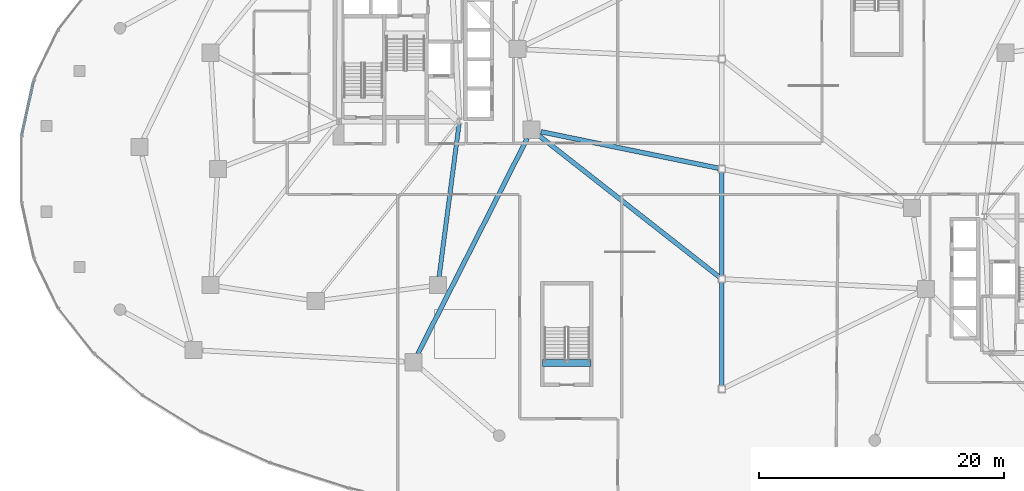
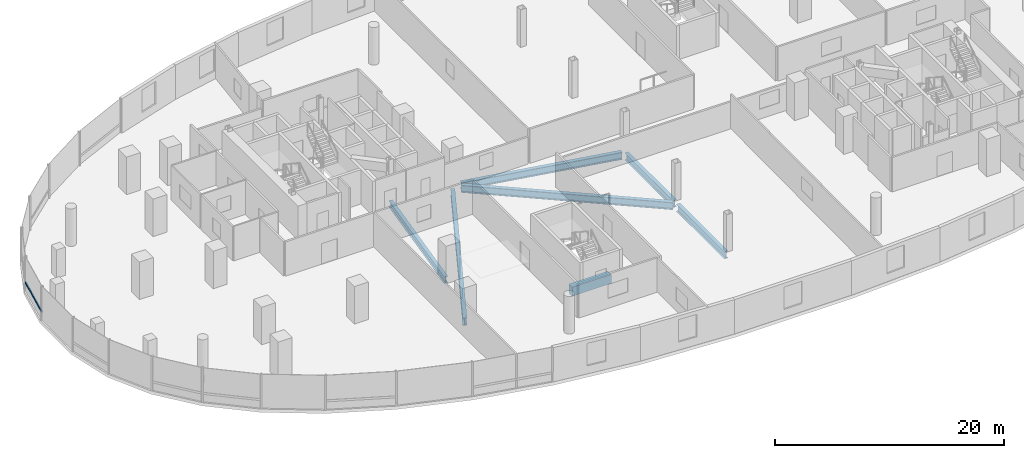
# One storey, part 4 of 18: 7 beams, 1 member, 1 element without a shape of its own.
"""IFC4 building model written with IfcOpenShell, lengths in metres."""

import ifcopenshell
import ifcopenshell.guid

model = None  # the IFC model being written
_history = None  # IfcOwnerHistory: only IFC2X3 demands one
_inside = {}  # id of a spatial element -> (the spatial element, [elements in it])
_under = {}  # id of a project, library or spatial element -> (it, [spatial elements below it])
_declared = {}  # id of a project -> (the project, [libraries it declares])
_typed = {}  # id of a type object -> (the type object, [elements of that type])
_made_of = {}  # id of a material, layer set ... -> (it, [elements and type objects made of it])


def new_model(schema):
    """Start an empty IFC model of exactly this schema.

    Asked for "IFC4X3", IfcOpenShell would pick the latest addendum, in which some entities
    have other attributes; the version numbers below select the first issue.
    IFC2X3 requires an IfcOwnerHistory on every rooted entity: one is made here for all.
    """
    global model, _history
    if schema == "IFC4X3":
        model = ifcopenshell.file(schema_version=(4, 3, 0, 0))
    else:
        model = ifcopenshell.file(schema=schema)
    _inside.clear()
    _under.clear()
    _declared.clear()
    _typed.clear()
    _made_of.clear()
    _history = None
    if model.schema == "IFC2X3":
        org = make("IfcOrganization", Name="unknown")
        user = make(
            "IfcPersonAndOrganization",
            ThePerson=make("IfcPerson", FamilyName="unknown"),
            TheOrganization=org,
        )
        app = make(
            "IfcApplication",
            ApplicationDeveloper=org,
            Version="unknown",
            ApplicationFullName="unknown",
            ApplicationIdentifier="unknown",
        )
        _history = make(
            "IfcOwnerHistory",
            OwningUser=user,
            OwningApplication=app,
            ChangeAction="ADDED",
            CreationDate=0,
        )
    return model


def make(cls, **values):
    """One entity of the class cls with the attributes given. An attribute that is None is left unset."""
    return model.create_entity(
        cls, **{name: value for name, value in values.items() if value is not None}
    )


def rooted(cls, **values):
    """An entity with a GlobalId (a new one), such as an element, a storey or a relation."""
    return make(cls, GlobalId=ifcopenshell.guid.new(), OwnerHistory=_history, **values)


def si_unit(unit_type, name, prefix=None):
    """IfcSIUnit, for example si_unit("LENGTHUNIT", "METRE", prefix="MILLI")."""
    return make("IfcSIUnit", UnitType=unit_type, Prefix=prefix, Name=name)


def assignment(units):
    """IfcUnitAssignment: the units of a project."""
    return None if units is None else make("IfcUnitAssignment", Units=units)


def point(xyz):
    """IfcCartesianPoint."""
    return None if xyz is None else make("IfcCartesianPoint", Coordinates=xyz)


def direction(xyz):
    """IfcDirection."""
    return None if xyz is None else make("IfcDirection", DirectionRatios=xyz)


def frame(location, z_axis=None, x_axis=None):
    """IfcAxis2Placement3D, a coordinate frame: its origin and axes. An axis left out is left unset."""
    return make(
        "IfcAxis2Placement3D",
        Location=point(location),
        Axis=direction(z_axis),
        RefDirection=direction(x_axis),
    )


def frame_2d(location, x_axis=None):
    """IfcAxis2Placement2D, a coordinate frame in the plane: its origin and x axis."""
    return make(
        "IfcAxis2Placement2D", Location=point(location), RefDirection=direction(x_axis)
    )


def origin():
    """The frame at (0, 0, 0) with its axes left unset."""
    return frame((0.0, 0.0, 0.0))


def origin_2d():
    """The frame at (0, 0) in the plane with its x axis left unset."""
    return frame_2d((0.0, 0.0))


def place(relative_to, where):
    """IfcLocalPlacement: puts the frame where relative to a parent placement (None: the world)."""
    return make(
        "IfcLocalPlacement", PlacementRelTo=relative_to, RelativePlacement=where
    )


def context(
    kind, dimensions, precision=None, world=None, true_north=None, identifier=None
):
    """IfcGeometricRepresentationContext, for example the 3D "Model" context."""
    return make(
        "IfcGeometricRepresentationContext",
        ContextIdentifier=identifier,
        ContextType=kind,
        CoordinateSpaceDimension=dimensions,
        Precision=precision,
        WorldCoordinateSystem=world,
        TrueNorth=true_north,
    )


def subcontext(parent, identifier, kind, view, scale=None):
    """IfcGeometricRepresentationSubContext, for example "Body" below "Model"."""
    return make(
        "IfcGeometricRepresentationSubContext",
        ContextIdentifier=identifier,
        ContextType=kind,
        ParentContext=parent,
        TargetScale=scale,
        TargetView=view,
    )


def project(units=None, contexts=None):
    """IfcProject with its units and contexts."""
    return rooted(
        "IfcProject",
        Name="project",
        RepresentationContexts=contexts,
        UnitsInContext=assignment(units),
    )


def spatial(cls, under=None, at=None, **own):
    """A site, building, storey or space (cls), placed at a placement, below another one or the project."""
    s = rooted(cls, ObjectPlacement=at, **own)
    if under is not None:
        _under.setdefault(under.id(), (under, []))[1].append(s)
    return s


def profile(cls, at=None, kind="AREA", **sizes):
    """A parametric profile (cls). Its sizes go by their IFC names, for example OverallWidth=200.0."""
    return make(cls, ProfileType=kind, Position=at, **sizes)


def rectangle(**sizes):
    """IfcRectangleProfileDef."""
    return profile("IfcRectangleProfileDef", **sizes)


def i_section(**sizes):
    """IfcIShapeProfileDef."""
    return profile("IfcIShapeProfileDef", **sizes)


def extrude(swept, where, along, depth):
    """IfcExtrudedAreaSolid: the profile swept, set in the frame where, extruded along a direction by depth."""
    return make(
        "IfcExtrudedAreaSolid",
        SweptArea=swept,
        Position=where,
        ExtrudedDirection=direction(along),
        Depth=depth,
    )


def shape(context_of_items, identifier, shape_type, items):
    """IfcShapeRepresentation: the items that make up one representation, for example the "Body"."""
    return make(
        "IfcShapeRepresentation",
        ContextOfItems=context_of_items,
        RepresentationIdentifier=identifier,
        RepresentationType=shape_type,
        Items=items,
    )


def material(Name=None, Category=None):
    """IfcMaterial."""
    return make("IfcMaterial", Name=Name, Category=Category)


def material_profile(
    of_material, cross_section, Name=None, Category=None, Priority=None
):
    """IfcMaterialProfile: a cross section and its material."""
    return make(
        "IfcMaterialProfile",
        Name=Name,
        Material=of_material,
        Profile=cross_section,
        Priority=Priority,
        Category=Category,
    )


def profile_set(profiles, Name=None, composite=None):
    """IfcMaterialProfileSet."""
    return make(
        "IfcMaterialProfileSet",
        Name=Name,
        MaterialProfiles=profiles,
        CompositeProfile=composite,
    )


def made_of(thing, what):
    """Note that an element or type object is made of a material, layer set ...; save() writes the relation."""
    if what is not None:
        _made_of.setdefault(what.id(), (what, []))[1].append(thing)
    return thing


def type_object(cls, material=None, **own):
    """A type object (cls), such as IfcWallType, which elements share."""
    return made_of(rooted(cls, **own), material)


def element(
    cls,
    number,
    at=None,
    inside=None,
    cuts=None,
    type_object=None,
    material=None,
    context=None,
    identifier="Body",
    shape_type=None,
    held_by="IfcProductDefinitionShape",
    body=None,
    shapes=None,
    **own,
):
    """One element of the class cls, such as IfcWall. Its Tag is "e" and its number.

    at: its placement. inside: the storey or other place that contains it. cuts: it is an
    opening in that element (IfcRelVoidsElement). A single representation is given by context,
    identifier, shape_type and body (its items); several are given by shapes. held_by: the class
    of the entity that holds the representations. save() writes the other relations.
    """
    e = rooted(cls, Tag="e%d" % number, ObjectPlacement=at, **own)
    if body is not None:
        shapes = [shape(context, identifier, shape_type, body)]
    if shapes is not None:
        e.Representation = make(held_by, Representations=shapes)
    if inside is not None:
        _inside.setdefault(inside.id(), (inside, []))[1].append(e)
    if cuts is not None:
        rooted(
            "IfcRelVoidsElement", RelatingBuildingElement=cuts, RelatedOpeningElement=e
        )
    if type_object is not None:
        _typed.setdefault(type_object.id(), (type_object, []))[1].append(e)
    return made_of(e, material)


def aggregate(whole, parts):
    """IfcRelAggregates: a whole, such as a stair, and the parts it consists of."""
    return rooted("IfcRelAggregates", RelatingObject=whole, RelatedObjects=parts)


def save(model, path):
    """Write the relations noted so far, then the file.

    IfcRelAggregates (storeys below a building ...), IfcRelContainedInSpatialStructure (elements
    in a storey), IfcRelDefinesByType, IfcRelAssociatesMaterial and IfcRelDeclares: one each for
    every whole, place, type object, material and project.
    """
    for whole, parts in _under.values():
        aggregate(whole, parts)
    for where, things in _inside.values():
        rooted(
            "IfcRelContainedInSpatialStructure",
            RelatedElements=things,
            RelatingStructure=where,
        )
    for kind, things in _typed.values():
        rooted("IfcRelDefinesByType", RelatedObjects=things, RelatingType=kind)
    for what, things in _made_of.values():
        rooted("IfcRelAssociatesMaterial", RelatedObjects=things, RelatingMaterial=what)
    for by, libraries in _declared.values():
        rooted("IfcRelDeclares", RelatingContext=by, RelatedDefinitions=libraries)
    model.write(path)


model = new_model("IFC4")

# Units and contexts
model_context = context("Model", 3, precision=1e-05, world=origin(), true_north=direction((0.0, 1.0)))
body_context = subcontext(model_context, "Body", "Model", "MODEL_VIEW")
ifc_project = project(units=[si_unit("LENGTHUNIT", "METRE"), si_unit("AREAUNIT", "SQUARE_METRE"), si_unit("VOLUMEUNIT", "CUBIC_METRE"), si_unit("PLANEANGLEUNIT", "RADIAN"), si_unit("MASSUNIT", "GRAM", prefix="KILO"), si_unit("THERMODYNAMICTEMPERATUREUNIT", "KELVIN"), si_unit("POWERUNIT", "WATT")], contexts=[model_context])

# Site, building, storey
site_placement = place(None, origin())
site = spatial("IfcSite", under=ifc_project, at=site_placement, CompositionType="ELEMENT")
building_placement = place(site_placement, origin())
building = spatial("IfcBuilding", under=site, at=building_placement, Name="Cundina Bronze Exchange", CompositionType="ELEMENT")
storey_placement = place(building_placement, frame((0.0, 0.0, 12.0)))
storey = spatial("IfcBuildingStorey", under=building, at=storey_placement, Name="L02", CompositionType="ELEMENT", Elevation=12.0)

# Beams
ifc_material_1 = material(Name="Concrete C60/75", Category="concrete")
ifc_material_profile_1 = material_profile(ifc_material_1, rectangle(XDim=0.60009765625, YDim=0.949951171875, at=origin_2d()), Name="RC600X950", Category="concrete")
ifc_profile_set_1 = profile_set([ifc_material_profile_1], Name="Concrete C60/75")
beam_type_1 = type_object("IfcBeamType", Name="BM-COUP-RC950", PredefinedType="LINTEL", material=ifc_profile_set_1)
beam_1_placement = place(storey_placement, frame((-14.639892578125, -15.8701171875, -0.47509765625), z_axis=(1.0, 0.0, 0.0), x_axis=(0.0, 1.0, 0.0)))
element("IfcBeam", 1, at=beam_1_placement, inside=storey, type_object=beam_type_1, Name="L02 Concourse Stair W Landing Header Beam", PredefinedType="LINTEL", context=body_context, shape_type="SweptSolid", body=[
    extrude(rectangle(XDim=0.60009765625, YDim=0.949951171875, at=origin_2d()), origin(), (0.0, 0.0, 1.0), 3.93994140625),
])
ifc_material_2 = material(Name="Steel ASTM A992 Grade 50", Category="steel")
ifc_material_profile_2 = material_profile(ifc_material_2, i_section(OverallWidth=0.35498046875, OverallDepth=0.695068359375, WebThickness=0.015380859375, FlangeThickness=0.02490234375, FilletRadius=0.01806640625, at=origin_2d()), Name="W27X146", Category="steel")
ifc_profile_set_2 = profile_set([ifc_material_profile_2], Name="Steel ASTM A992 Grade 50")
beam_type_2 = type_object("IfcBeamType", Name="BM-RING-W27", PredefinedType="USERDEFINED", material=ifc_profile_set_2)
beam_2_placement = place(storey_placement, frame((-23.11083984375, -8.81787109375, -0.697509765625), z_axis=(0.129498776905, 0.991579581668, 0.0), x_axis=(-0.991579581668, 0.129498776905, 0.0)))
element("IfcBeam", 2, at=beam_2_placement, inside=storey, type_object=beam_type_2, Name="L02 W Inner Structural Ring Girder 07", ObjectType="GIRDER", PredefinedType="USERDEFINED", context=body_context, shape_type="SweptSolid", body=[
    extrude(i_section(OverallWidth=0.35498046875, OverallDepth=0.695068359375, WebThickness=0.015380859375, FlangeThickness=0.02490234375, FilletRadius=0.01806640625, at=origin_2d()), origin(), (0.0, 0.0, 1.0), 12.621826171875),
])
ifc_material_profile_3 = material_profile(ifc_material_2, i_section(OverallWidth=0.381103515625, OverallDepth=0.77294921875, WebThickness=0.0166015625, FlangeThickness=0.027099609375, FilletRadius=0.01904296875, at=origin_2d()), Name="W30X173", Category="steel")
ifc_profile_set_3 = profile_set([ifc_material_profile_3], Name="Steel ASTM A992 Grade 50")
beam_type_3 = type_object("IfcBeamType", Name="BM-RING-W30", PredefinedType="USERDEFINED", material=ifc_profile_set_3)
for number, where, z_axis, x_axis, name in (
    (3, (0.0, -17.7119140625, -0.736572265625), (0.0, 1.0, 0.0), (-1.0, 0.0, 0.0), "L02 Concourse Spine Longitudinal Girder 01"),
    (4, (0.0, -8.7119140625, -0.736572265625), (0.0, 1.0, 0.0), (-1.0, 0.0, 0.0), "L02 Concourse Spine Longitudinal Girder 02"),
):
    element("IfcBeam", number, at=place(storey_placement, frame(where, z_axis=z_axis, x_axis=x_axis)), inside=storey, type_object=beam_type_3, Name=name, ObjectType="GIRDER", PredefinedType="USERDEFINED", context=body_context, shape_type="SweptSolid", body=[
        extrude(i_section(OverallWidth=0.381103515625, OverallDepth=0.77294921875, WebThickness=0.0166015625, FlangeThickness=0.027099609375, FilletRadius=0.01904296875, at=origin_2d()), origin(), (0.0, 0.0, 1.0), 8.423828125),
    ])
beam_3_placement = place(storey_placement, frame((-14.929931640625, 2.713623046875, -0.736572265625), z_axis=(0.786753774413, -0.617266958817, 0.0), x_axis=(0.617266958817, 0.786753774413, 0.0)))
element("IfcBeam", 5, at=beam_3_placement, inside=storey, type_object=beam_type_3, Name="L02 Concourse West Span Girder 02", ObjectType="GIRDER", PredefinedType="USERDEFINED", context=body_context, shape_type="SweptSolid", body=[
    extrude(i_section(OverallWidth=0.381103515625, OverallDepth=0.77294921875, WebThickness=0.0166015625, FlangeThickness=0.027099609375, FilletRadius=0.01904296875, at=origin_2d()), origin(), (0.0, 0.0, 1.0), 18.688720703125),
])
beam_4_placement = place(storey_placement, frame((-14.7783203125, 3.041259765625, -0.736572265625), z_axis=(0.979475533682, -0.201563089177, 0.0), x_axis=(0.201563089177, 0.979475533682, 0.0)))
element("IfcBeam", 6, at=beam_4_placement, inside=storey, type_object=beam_type_3, Name="L02 Concourse West Span Girder 03", ObjectType="GIRDER", PredefinedType="USERDEFINED", context=body_context, shape_type="SweptSolid", body=[
    extrude(i_section(OverallWidth=0.381103515625, OverallDepth=0.77294921875, WebThickness=0.0166015625, FlangeThickness=0.027099609375, FilletRadius=0.01904296875, at=origin_2d()), origin(), (0.0, 0.0, 1.0), 14.800048828125),
])
beam_5_placement = place(storey_placement, frame((-24.84326171875, -15.097412109375, -0.736572265625), z_axis=(0.452846100384, 0.891588699663, 0.0), x_axis=(-0.891588699663, 0.452846100384, 0.0)))
element("IfcBeam", 7, at=beam_5_placement, inside=storey, type_object=beam_type_3, Name="L02 W Podium Ring Girder 12", ObjectType="GIRDER", PredefinedType="USERDEFINED", context=body_context, shape_type="SweptSolid", body=[
    extrude(i_section(OverallWidth=0.381103515625, OverallDepth=0.77294921875, WebThickness=0.0166015625, FlangeThickness=0.027099609375, FilletRadius=0.01904296875, at=origin_2d()), origin(), (0.0, 0.0, 1.0), 19.734130859375),
])

# Curtain wall, member
ifc_material_3 = material(Name="Anodised Bronze Aluminium 6063-T6", Category="aluminium")
curtain_wall_type = type_object("IfcCurtainWallType", Name="CWS-POD-CONC", PredefinedType="NOTDEFINED", material=ifc_material_3)
curtain_wall_placement = place(storey_placement, origin())
curtain_wall = element("IfcCurtainWall", 8, at=curtain_wall_placement, inside=storey, type_object=curtain_wall_type, Name="L02 CW-01 Curtain Wall Run CWR-L02-04", PredefinedType="NOTDEFINED")
ifc_material_profile_4 = material_profile(ifc_material_3, rectangle(XDim=0.080078125, YDim=0.2099609375, at=origin_2d()), Name="AL80X210", Category="aluminium")
ifc_profile_set_4 = profile_set([ifc_material_profile_4], Name="Anodised Bronze Aluminium 6063-T6")
member_type = type_object("IfcMemberType", Name="CWM-TRN-210", PredefinedType="USERDEFINED", material=ifc_profile_set_4)
member_placement = place(storey_placement, frame((-56.249267578125, 7.18603515625, 0.919921875), z_axis=(-0.214447065297, -0.976735612224, 0.0), x_axis=(0.976735612224, -0.214447065297, 0.0)))
member = element("IfcMember", 9, at=member_placement, type_object=member_type, Name="CW-01 Spandrel Transom 1", ObjectType="TRANSOM", PredefinedType="USERDEFINED", context=body_context, shape_type="SweptSolid", body=[
    extrude(rectangle(XDim=0.080078125, YDim=0.2099609375, at=origin_2d()), origin(), (0.0, 0.0, 1.0), 4.571044921875),
])
aggregate(curtain_wall, [member])

save(model, "model.ifc")
